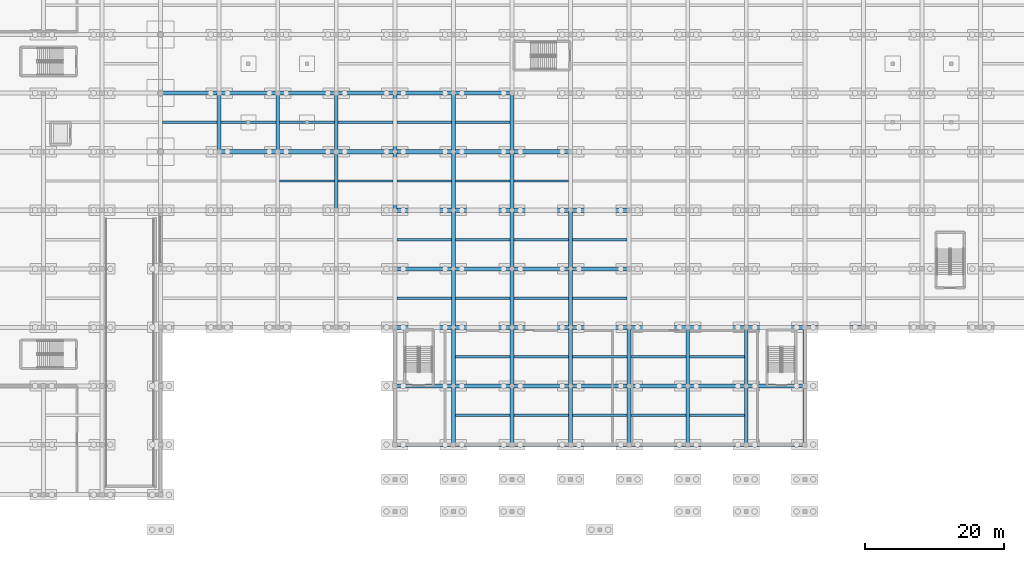
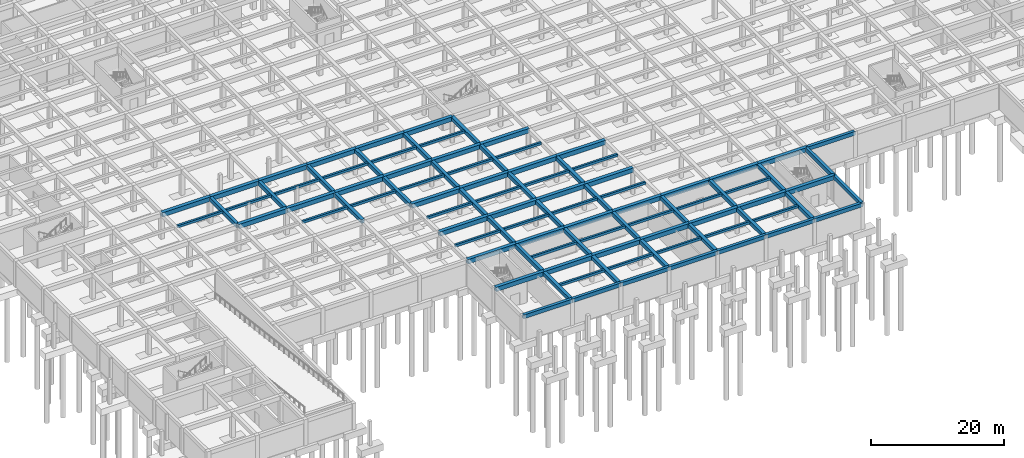
# One storey, part 16 of 51: 101 beams.
"""IFC4 building model written with IfcOpenShell, lengths in metres."""

from ifc_helpers import new_model, si_unit, direction, frame, origin, origin_2d, place, context, subcontext, project, spatial, rectangle, extrude, material, material_profile, profile_set, type_object, element, save


model = new_model("IFC4")

# Units and contexts
model_context = context("Model", 3, precision=1e-05, world=origin(), true_north=direction((0.0, 1.0)))
body_context = subcontext(model_context, "Body", "Model", "MODEL_VIEW")
ifc_project = project(units=[si_unit("LENGTHUNIT", "METRE"), si_unit("AREAUNIT", "SQUARE_METRE"), si_unit("VOLUMEUNIT", "CUBIC_METRE"), si_unit("PLANEANGLEUNIT", "RADIAN"), si_unit("MASSUNIT", "GRAM", prefix="KILO")], contexts=[model_context])

# Site, building, storey
site_placement = place(None, origin())
site = spatial("IfcSite", under=ifc_project, at=site_placement, CompositionType="ELEMENT")
building_placement = place(site_placement, origin())
building = spatial("IfcBuilding", under=site, at=building_placement, Name="Varncliffe General Hospital", CompositionType="ELEMENT")
storey_placement = place(building_placement, frame((0.0, 0.0, -4.800048828125)))
storey = spatial("IfcBuildingStorey", under=building, at=storey_placement, Name="B1", CompositionType="ELEMENT", Elevation=-4.800048828125)

# Beams
ifc_material = material(Name="Concrete C35/45 (CSA A23.1 35 MPa)", Category="concrete")
ifc_material_profile_1 = material_profile(ifc_material, rectangle(XDim=0.550048828125, YDim=0.699951171875, at=origin_2d()), Name="RC 550x700")
ifc_profile_set_1 = profile_set([ifc_material_profile_1], Name="Concrete C35/45 (CSA A23.1 35 MPa)")
beam_type_1 = type_object("IfcBeamType", Name="Beam B35 (Int RC 550x700)", PredefinedType="BEAM", material=ifc_profile_set_1)
for number, where, z_axis, x_axis, name in (
    (1, (33.60009765625, 49.199951171875, 4.449951171875), (0.0, 1.0, 0.0), (-1.0, 0.0, 0.0), "B1 Primary Beam B35-391"),
    (2, (42.0, 49.199951171875, 4.449951171875), (0.0, 1.0, 0.0), (-1.0, 0.0, 0.0), "B1 Primary Beam B35-405"),
):
    element("IfcBeam", number, at=place(storey_placement, frame(where, z_axis=z_axis, x_axis=x_axis)), inside=storey, type_object=beam_type_1, Name=name, PredefinedType="BEAM", context=body_context, shape_type="SweptSolid", body=[
        extrude(rectangle(XDim=0.550048828125, YDim=0.699951171875, at=origin_2d()), origin(), (0.0, 0.0, 1.0), 8.400146484375),
    ])
beam_1_placement = place(storey_placement, frame((50.39990234375, 40.800048828125, 4.449951171875), z_axis=(0.0, 1.0, 0.0), x_axis=(-1.0, 0.0, 0.0)))
element("IfcBeam", 3, at=beam_1_placement, inside=storey, type_object=beam_type_1, Name="B1 Primary Beam B35-418", PredefinedType="BEAM", context=body_context, shape_type="SweptSolid", body=[
    extrude(rectangle(XDim=0.550048828125, YDim=0.699951171875, at=origin_2d()), origin(), (0.0, 0.0, 1.0), 8.39990234375),
])
beam_2_placement = place(storey_placement, frame((50.39990234375, 49.199951171875, 4.449951171875), z_axis=(0.0, 1.0, 0.0), x_axis=(-1.0, 0.0, 0.0)))
element("IfcBeam", 4, at=beam_2_placement, inside=storey, type_object=beam_type_1, Name="B1 Primary Beam B35-419", PredefinedType="BEAM", context=body_context, shape_type="SweptSolid", body=[
    extrude(rectangle(XDim=0.550048828125, YDim=0.699951171875, at=origin_2d()), origin(), (0.0, 0.0, 1.0), 8.400146484375),
])
beam_3_placement = place(storey_placement, frame((58.800048828125, 40.800048828125, 4.449951171875), z_axis=(0.0, 1.0, 0.0), x_axis=(-1.0, 0.0, 0.0)))
element("IfcBeam", 5, at=beam_3_placement, inside=storey, type_object=beam_type_1, Name="B1 Primary Beam B35-434", PredefinedType="BEAM", context=body_context, shape_type="SweptSolid", body=[
    extrude(rectangle(XDim=0.550048828125, YDim=0.699951171875, at=origin_2d()), origin(), (0.0, 0.0, 1.0), 8.39990234375),
])
for number, where, z_axis, x_axis, name in (
    (6, (58.800048828125, 49.199951171875, 4.449951171875), (0.0, 1.0, 0.0), (-1.0, 0.0, 0.0), "B1 Primary Beam B35-435"),
    (7, (67.199951171875, 7.199951171875, 4.449951171875), (0.0, 1.0, 0.0), (-1.0, 0.0, 0.0), "B1 Primary Beam B35-446"),
):
    element("IfcBeam", number, at=place(storey_placement, frame(where, z_axis=z_axis, x_axis=x_axis)), inside=storey, type_object=beam_type_1, Name=name, PredefinedType="BEAM", context=body_context, shape_type="SweptSolid", body=[
        extrude(rectangle(XDim=0.550048828125, YDim=0.699951171875, at=origin_2d()), origin(), (0.0, 0.0, 1.0), 8.400146484375),
    ])
for number, where, z_axis, x_axis, name in (
    (8, (67.199951171875, 15.60009765625, 4.449951171875), (0.0, 1.0, 0.0), (-1.0, 0.0, 0.0), "B1 Primary Beam B35-447"),
    (9, (67.199951171875, 24.0, 4.449951171875), (0.0, 1.0, 0.0), (-1.0, 0.0, 0.0), "B1 Primary Beam B35-448"),
):
    element("IfcBeam", number, at=place(storey_placement, frame(where, z_axis=z_axis, x_axis=x_axis)), inside=storey, type_object=beam_type_1, Name=name, PredefinedType="BEAM", context=body_context, shape_type="SweptSolid", body=[
        extrude(rectangle(XDim=0.550048828125, YDim=0.699951171875, at=origin_2d()), origin(), (0.0, 0.0, 1.0), 8.39990234375),
    ])
beam_4_placement = place(storey_placement, frame((67.199951171875, 32.39990234375, 4.449951171875), z_axis=(0.0, 1.0, 0.0), x_axis=(-1.0, 0.0, 0.0)))
element("IfcBeam", 10, at=beam_4_placement, inside=storey, type_object=beam_type_1, Name="B1 Primary Beam B35-449", PredefinedType="BEAM", context=body_context, shape_type="SweptSolid", body=[
    extrude(rectangle(XDim=0.550048828125, YDim=0.699951171875, at=origin_2d()), origin(), (0.0, 0.0, 1.0), 8.400146484375),
])
beam_5_placement = place(storey_placement, frame((67.199951171875, 40.800048828125, 4.449951171875), z_axis=(0.0, 1.0, 0.0), x_axis=(-1.0, 0.0, 0.0)))
element("IfcBeam", 11, at=beam_5_placement, inside=storey, type_object=beam_type_1, Name="B1 Primary Beam B35-450", PredefinedType="BEAM", context=body_context, shape_type="SweptSolid", body=[
    extrude(rectangle(XDim=0.550048828125, YDim=0.699951171875, at=origin_2d()), origin(), (0.0, 0.0, 1.0), 8.39990234375),
])
for number, where, z_axis, x_axis, name in (
    (12, (67.199951171875, 49.199951171875, 4.449951171875), (0.0, 1.0, 0.0), (-1.0, 0.0, 0.0), "B1 Primary Beam B35-451"),
    (13, (75.60009765625, 7.199951171875, 4.449951171875), (0.0, 1.0, 0.0), (-1.0, 0.0, 0.0), "B1 Primary Beam B35-462"),
):
    element("IfcBeam", number, at=place(storey_placement, frame(where, z_axis=z_axis, x_axis=x_axis)), inside=storey, type_object=beam_type_1, Name=name, PredefinedType="BEAM", context=body_context, shape_type="SweptSolid", body=[
        extrude(rectangle(XDim=0.550048828125, YDim=0.699951171875, at=origin_2d()), origin(), (0.0, 0.0, 1.0), 8.400146484375),
    ])
for number, where, z_axis, x_axis, name in (
    (14, (75.60009765625, 15.60009765625, 4.449951171875), (0.0, 1.0, 0.0), (-1.0, 0.0, 0.0), "B1 Primary Beam B35-463"),
    (15, (75.60009765625, 24.0, 4.449951171875), (0.0, 1.0, 0.0), (-1.0, 0.0, 0.0), "B1 Primary Beam B35-464"),
):
    element("IfcBeam", number, at=place(storey_placement, frame(where, z_axis=z_axis, x_axis=x_axis)), inside=storey, type_object=beam_type_1, Name=name, PredefinedType="BEAM", context=body_context, shape_type="SweptSolid", body=[
        extrude(rectangle(XDim=0.550048828125, YDim=0.699951171875, at=origin_2d()), origin(), (0.0, 0.0, 1.0), 8.39990234375),
    ])
beam_6_placement = place(storey_placement, frame((75.60009765625, 32.39990234375, 4.449951171875), z_axis=(0.0, 1.0, 0.0), x_axis=(-1.0, 0.0, 0.0)))
element("IfcBeam", 16, at=beam_6_placement, inside=storey, type_object=beam_type_1, Name="B1 Primary Beam B35-465", PredefinedType="BEAM", context=body_context, shape_type="SweptSolid", body=[
    extrude(rectangle(XDim=0.550048828125, YDim=0.699951171875, at=origin_2d()), origin(), (0.0, 0.0, 1.0), 8.400146484375),
])
beam_7_placement = place(storey_placement, frame((75.60009765625, 40.800048828125, 4.449951171875), z_axis=(0.0, 1.0, 0.0), x_axis=(-1.0, 0.0, 0.0)))
element("IfcBeam", 17, at=beam_7_placement, inside=storey, type_object=beam_type_1, Name="B1 Primary Beam B35-466", PredefinedType="BEAM", context=body_context, shape_type="SweptSolid", body=[
    extrude(rectangle(XDim=0.550048828125, YDim=0.699951171875, at=origin_2d()), origin(), (0.0, 0.0, 1.0), 8.39990234375),
])
for number, where, z_axis, x_axis, name in (
    (18, (75.60009765625, 49.199951171875, 4.449951171875), (0.0, 1.0, 0.0), (-1.0, 0.0, 0.0), "B1 Primary Beam B35-467"),
    (19, (84.0, 7.199951171875, 4.449951171875), (0.0, 1.0, 0.0), (-1.0, 0.0, 0.0), "B1 Primary Beam B35-475"),
):
    element("IfcBeam", number, at=place(storey_placement, frame(where, z_axis=z_axis, x_axis=x_axis)), inside=storey, type_object=beam_type_1, Name=name, PredefinedType="BEAM", context=body_context, shape_type="SweptSolid", body=[
        extrude(rectangle(XDim=0.550048828125, YDim=0.699951171875, at=origin_2d()), origin(), (0.0, 0.0, 1.0), 8.400146484375),
    ])
for number, where, z_axis, x_axis, name in (
    (20, (84.0, 15.60009765625, 4.449951171875), (0.0, 1.0, 0.0), (-1.0, 0.0, 0.0), "B1 Primary Beam B35-476"),
    (21, (84.0, 24.0, 4.449951171875), (0.0, 1.0, 0.0), (-1.0, 0.0, 0.0), "B1 Primary Beam B35-477"),
):
    element("IfcBeam", number, at=place(storey_placement, frame(where, z_axis=z_axis, x_axis=x_axis)), inside=storey, type_object=beam_type_1, Name=name, PredefinedType="BEAM", context=body_context, shape_type="SweptSolid", body=[
        extrude(rectangle(XDim=0.550048828125, YDim=0.699951171875, at=origin_2d()), origin(), (0.0, 0.0, 1.0), 8.39990234375),
    ])
for number, where, z_axis, x_axis, name in (
    (22, (84.0, 32.39990234375, 4.449951171875), (0.0, 1.0, 0.0), (-1.0, 0.0, 0.0), "B1 Primary Beam B35-478"),
    (23, (92.39990234375, 7.199951171875, 4.449951171875), (0.0, 1.0, 0.0), (-1.0, 0.0, 0.0), "B1 Primary Beam B35-488"),
):
    element("IfcBeam", number, at=place(storey_placement, frame(where, z_axis=z_axis, x_axis=x_axis)), inside=storey, type_object=beam_type_1, Name=name, PredefinedType="BEAM", context=body_context, shape_type="SweptSolid", body=[
        extrude(rectangle(XDim=0.550048828125, YDim=0.699951171875, at=origin_2d()), origin(), (0.0, 0.0, 1.0), 8.400146484375),
    ])
beam_8_placement = place(storey_placement, frame((92.39990234375, 15.60009765625, 4.449951171875), z_axis=(0.0, 1.0, 0.0), x_axis=(-1.0, 0.0, 0.0)))
element("IfcBeam", 24, at=beam_8_placement, inside=storey, type_object=beam_type_1, Name="B1 Primary Beam B35-489", PredefinedType="BEAM", context=body_context, shape_type="SweptSolid", body=[
    extrude(rectangle(XDim=0.550048828125, YDim=0.699951171875, at=origin_2d()), origin(), (0.0, 0.0, 1.0), 8.39990234375),
])
beam_9_placement = place(storey_placement, frame((100.800048828125, 7.199951171875, 4.449951171875), z_axis=(0.0, 1.0, 0.0), x_axis=(-1.0, 0.0, 0.0)))
element("IfcBeam", 25, at=beam_9_placement, inside=storey, type_object=beam_type_1, Name="B1 Primary Beam B35-501", PredefinedType="BEAM", context=body_context, shape_type="SweptSolid", body=[
    extrude(rectangle(XDim=0.550048828125, YDim=0.699951171875, at=origin_2d()), origin(), (0.0, 0.0, 1.0), 8.400146484375),
])
beam_10_placement = place(storey_placement, frame((100.800048828125, 15.60009765625, 4.449951171875), z_axis=(0.0, 1.0, 0.0), x_axis=(-1.0, 0.0, 0.0)))
element("IfcBeam", 26, at=beam_10_placement, inside=storey, type_object=beam_type_1, Name="B1 Primary Beam B35-502", PredefinedType="BEAM", context=body_context, shape_type="SweptSolid", body=[
    extrude(rectangle(XDim=0.550048828125, YDim=0.699951171875, at=origin_2d()), origin(), (0.0, 0.0, 1.0), 8.39990234375),
])
beam_11_placement = place(storey_placement, frame((109.199951171875, 7.199951171875, 4.449951171875), z_axis=(0.0, 1.0, 0.0), x_axis=(-1.0, 0.0, 0.0)))
element("IfcBeam", 27, at=beam_11_placement, inside=storey, type_object=beam_type_1, Name="B1 Primary Beam B35-514", PredefinedType="BEAM", context=body_context, shape_type="SweptSolid", body=[
    extrude(rectangle(XDim=0.550048828125, YDim=0.699951171875, at=origin_2d()), origin(), (0.0, 0.0, 1.0), 8.400146484375),
])
beam_12_placement = place(storey_placement, frame((109.199951171875, 15.60009765625, 4.449951171875), z_axis=(0.0, 1.0, 0.0), x_axis=(-1.0, 0.0, 0.0)))
element("IfcBeam", 28, at=beam_12_placement, inside=storey, type_object=beam_type_1, Name="B1 Primary Beam B35-515", PredefinedType="BEAM", context=body_context, shape_type="SweptSolid", body=[
    extrude(rectangle(XDim=0.550048828125, YDim=0.699951171875, at=origin_2d()), origin(), (0.0, 0.0, 1.0), 8.39990234375),
])
ifc_material_profile_2 = material_profile(ifc_material, rectangle(XDim=0.60009765625, YDim=0.800048828125, at=origin_2d()), Name="RC 600x800")
ifc_profile_set_2 = profile_set([ifc_material_profile_2], Name="Concrete C35/45 (CSA A23.1 35 MPa)")
beam_type_2 = type_object("IfcBeamType", Name="Beam B40 (Int RC 600x800)", PredefinedType="BEAM", material=ifc_profile_set_2)
beam_13_placement = place(storey_placement, frame((58.800048828125, 15.60009765625, 4.400146484375), z_axis=(1.0, 0.0, 0.0), x_axis=(0.0, 1.0, 0.0)))
element("IfcBeam", 29, at=beam_13_placement, inside=storey, type_object=beam_type_2, Name="B1 Primary Beam B40-21", PredefinedType="BEAM", context=body_context, shape_type="SweptSolid", body=[
    extrude(rectangle(XDim=0.60009765625, YDim=0.800048828125, at=origin_2d()), origin(), (0.0, 0.0, 1.0), 8.39990234375),
])
beam_14_placement = place(storey_placement, frame((67.199951171875, 15.60009765625, 4.400146484375), z_axis=(1.0, 0.0, 0.0), x_axis=(0.0, 1.0, 0.0)))
element("IfcBeam", 30, at=beam_14_placement, inside=storey, type_object=beam_type_2, Name="B1 Primary Beam B40-22", PredefinedType="BEAM", context=body_context, shape_type="SweptSolid", body=[
    extrude(rectangle(XDim=0.60009765625, YDim=0.800048828125, at=origin_2d()), origin(), (0.0, 0.0, 1.0), 8.400146484375),
])
for number, where, z_axis, x_axis, name in (
    (31, (75.60009765625, 15.60009765625, 4.400146484375), (1.0, 0.0, 0.0), (0.0, 1.0, 0.0), "B1 Primary Beam B40-23"),
    (32, (84.0, 15.60009765625, 4.400146484375), (1.0, 0.0, 0.0), (0.0, 1.0, 0.0), "B1 Primary Beam B40-24"),
):
    element("IfcBeam", number, at=place(storey_placement, frame(where, z_axis=z_axis, x_axis=x_axis)), inside=storey, type_object=beam_type_2, Name=name, PredefinedType="BEAM", context=body_context, shape_type="SweptSolid", body=[
        extrude(rectangle(XDim=0.60009765625, YDim=0.800048828125, at=origin_2d()), origin(), (0.0, 0.0, 1.0), 8.39990234375),
    ])
beam_15_placement = place(storey_placement, frame((92.39990234375, 15.60009765625, 4.400146484375), z_axis=(1.0, 0.0, 0.0), x_axis=(0.0, 1.0, 0.0)))
element("IfcBeam", 33, at=beam_15_placement, inside=storey, type_object=beam_type_2, Name="B1 Primary Beam B40-25", PredefinedType="BEAM", context=body_context, shape_type="SweptSolid", body=[
    extrude(rectangle(XDim=0.60009765625, YDim=0.800048828125, at=origin_2d()), origin(), (0.0, 0.0, 1.0), 8.400146484375),
])
beam_16_placement = place(storey_placement, frame((100.800048828125, 15.60009765625, 4.400146484375), z_axis=(1.0, 0.0, 0.0), x_axis=(0.0, 1.0, 0.0)))
element("IfcBeam", 34, at=beam_16_placement, inside=storey, type_object=beam_type_2, Name="B1 Primary Beam B40-26", PredefinedType="BEAM", context=body_context, shape_type="SweptSolid", body=[
    extrude(rectangle(XDim=0.60009765625, YDim=0.800048828125, at=origin_2d()), origin(), (0.0, 0.0, 1.0), 8.39990234375),
])
beam_17_placement = place(storey_placement, frame((109.199951171875, 15.60009765625, 4.400146484375), z_axis=(1.0, 0.0, 0.0), x_axis=(0.0, 1.0, 0.0)))
element("IfcBeam", 35, at=beam_17_placement, inside=storey, type_object=beam_type_2, Name="B1 Primary Beam B40-27", PredefinedType="BEAM", context=body_context, shape_type="SweptSolid", body=[
    extrude(rectangle(XDim=0.60009765625, YDim=0.800048828125, at=origin_2d()), origin(), (0.0, 0.0, 1.0), 8.400146484375),
])
beam_18_placement = place(storey_placement, frame((58.800048828125, 24.0, 4.400146484375), z_axis=(1.0, 0.0, 0.0), x_axis=(0.0, 1.0, 0.0)))
element("IfcBeam", 36, at=beam_18_placement, inside=storey, type_object=beam_type_2, Name="B1 Primary Beam B40-37", PredefinedType="BEAM", context=body_context, shape_type="SweptSolid", body=[
    extrude(rectangle(XDim=0.60009765625, YDim=0.800048828125, at=origin_2d()), origin(), (0.0, 0.0, 1.0), 8.39990234375),
])
beam_19_placement = place(storey_placement, frame((67.199951171875, 24.0, 4.400146484375), z_axis=(1.0, 0.0, 0.0), x_axis=(0.0, 1.0, 0.0)))
element("IfcBeam", 37, at=beam_19_placement, inside=storey, type_object=beam_type_2, Name="B1 Primary Beam B40-38", PredefinedType="BEAM", context=body_context, shape_type="SweptSolid", body=[
    extrude(rectangle(XDim=0.60009765625, YDim=0.800048828125, at=origin_2d()), origin(), (0.0, 0.0, 1.0), 8.400146484375),
])
for number, where, z_axis, x_axis, name in (
    (38, (75.60009765625, 24.0, 4.400146484375), (1.0, 0.0, 0.0), (0.0, 1.0, 0.0), "B1 Primary Beam B40-39"),
    (39, (84.0, 24.0, 4.400146484375), (1.0, 0.0, 0.0), (0.0, 1.0, 0.0), "B1 Primary Beam B40-40"),
):
    element("IfcBeam", number, at=place(storey_placement, frame(where, z_axis=z_axis, x_axis=x_axis)), inside=storey, type_object=beam_type_2, Name=name, PredefinedType="BEAM", context=body_context, shape_type="SweptSolid", body=[
        extrude(rectangle(XDim=0.60009765625, YDim=0.800048828125, at=origin_2d()), origin(), (0.0, 0.0, 1.0), 8.39990234375),
    ])
beam_20_placement = place(storey_placement, frame((92.39990234375, 24.0, 4.400146484375), z_axis=(1.0, 0.0, 0.0), x_axis=(0.0, 1.0, 0.0)))
element("IfcBeam", 40, at=beam_20_placement, inside=storey, type_object=beam_type_2, Name="B1 Primary Beam B40-41", PredefinedType="BEAM", context=body_context, shape_type="SweptSolid", body=[
    extrude(rectangle(XDim=0.60009765625, YDim=0.800048828125, at=origin_2d()), origin(), (0.0, 0.0, 1.0), 8.400146484375),
])
beam_21_placement = place(storey_placement, frame((100.800048828125, 24.0, 4.400146484375), z_axis=(1.0, 0.0, 0.0), x_axis=(0.0, 1.0, 0.0)))
element("IfcBeam", 41, at=beam_21_placement, inside=storey, type_object=beam_type_2, Name="B1 Primary Beam B40-42", PredefinedType="BEAM", context=body_context, shape_type="SweptSolid", body=[
    extrude(rectangle(XDim=0.60009765625, YDim=0.800048828125, at=origin_2d()), origin(), (0.0, 0.0, 1.0), 8.39990234375),
])
beam_22_placement = place(storey_placement, frame((109.199951171875, 24.0, 4.400146484375), z_axis=(1.0, 0.0, 0.0), x_axis=(0.0, 1.0, 0.0)))
element("IfcBeam", 42, at=beam_22_placement, inside=storey, type_object=beam_type_2, Name="B1 Primary Beam B40-43", PredefinedType="BEAM", context=body_context, shape_type="SweptSolid", body=[
    extrude(rectangle(XDim=0.60009765625, YDim=0.800048828125, at=origin_2d()), origin(), (0.0, 0.0, 1.0), 8.400146484375),
])
beam_23_placement = place(storey_placement, frame((58.800048828125, 32.39990234375, 4.400146484375), z_axis=(1.0, 0.0, 0.0), x_axis=(0.0, 1.0, 0.0)))
element("IfcBeam", 43, at=beam_23_placement, inside=storey, type_object=beam_type_2, Name="B1 Primary Beam B40-57", PredefinedType="BEAM", context=body_context, shape_type="SweptSolid", body=[
    extrude(rectangle(XDim=0.60009765625, YDim=0.800048828125, at=origin_2d()), origin(), (0.0, 0.0, 1.0), 8.39990234375),
])
beam_24_placement = place(storey_placement, frame((67.199951171875, 32.39990234375, 4.400146484375), z_axis=(1.0, 0.0, 0.0), x_axis=(0.0, 1.0, 0.0)))
element("IfcBeam", 44, at=beam_24_placement, inside=storey, type_object=beam_type_2, Name="B1 Primary Beam B40-58", PredefinedType="BEAM", context=body_context, shape_type="SweptSolid", body=[
    extrude(rectangle(XDim=0.60009765625, YDim=0.800048828125, at=origin_2d()), origin(), (0.0, 0.0, 1.0), 8.400146484375),
])
for number, where, z_axis, x_axis, name in (
    (45, (75.60009765625, 32.39990234375, 4.400146484375), (1.0, 0.0, 0.0), (0.0, 1.0, 0.0), "B1 Primary Beam B40-59"),
    (46, (84.0, 32.39990234375, 4.400146484375), (1.0, 0.0, 0.0), (0.0, 1.0, 0.0), "B1 Primary Beam B40-60"),
    (47, (58.800048828125, 40.800048828125, 4.400146484375), (1.0, 0.0, 0.0), (0.0, 1.0, 0.0), "B1 Primary Beam B40-77"),
):
    element("IfcBeam", number, at=place(storey_placement, frame(where, z_axis=z_axis, x_axis=x_axis)), inside=storey, type_object=beam_type_2, Name=name, PredefinedType="BEAM", context=body_context, shape_type="SweptSolid", body=[
        extrude(rectangle(XDim=0.60009765625, YDim=0.800048828125, at=origin_2d()), origin(), (0.0, 0.0, 1.0), 8.39990234375),
    ])
beam_25_placement = place(storey_placement, frame((67.199951171875, 40.800048828125, 4.400146484375), z_axis=(1.0, 0.0, 0.0), x_axis=(0.0, 1.0, 0.0)))
element("IfcBeam", 48, at=beam_25_placement, inside=storey, type_object=beam_type_2, Name="B1 Primary Beam B40-78", PredefinedType="BEAM", context=body_context, shape_type="SweptSolid", body=[
    extrude(rectangle(XDim=0.60009765625, YDim=0.800048828125, at=origin_2d()), origin(), (0.0, 0.0, 1.0), 8.400146484375),
])
for number, where, z_axis, x_axis, name in (
    (49, (75.60009765625, 40.800048828125, 4.400146484375), (1.0, 0.0, 0.0), (0.0, 1.0, 0.0), "B1 Primary Beam B40-79"),
    (50, (84.0, 40.800048828125, 4.400146484375), (1.0, 0.0, 0.0), (0.0, 1.0, 0.0), "B1 Primary Beam B40-80"),
    (51, (33.60009765625, 49.199951171875, 4.400146484375), (1.0, 0.0, 0.0), (0.0, 1.0, 0.0), "B1 Primary Beam B40-95"),
    (52, (42.0, 49.199951171875, 4.400146484375), (1.0, 0.0, 0.0), (0.0, 1.0, 0.0), "B1 Primary Beam B40-96"),
):
    element("IfcBeam", number, at=place(storey_placement, frame(where, z_axis=z_axis, x_axis=x_axis)), inside=storey, type_object=beam_type_2, Name=name, PredefinedType="BEAM", context=body_context, shape_type="SweptSolid", body=[
        extrude(rectangle(XDim=0.60009765625, YDim=0.800048828125, at=origin_2d()), origin(), (0.0, 0.0, 1.0), 8.39990234375),
    ])
beam_26_placement = place(storey_placement, frame((50.39990234375, 49.199951171875, 4.400146484375), z_axis=(1.0, 0.0, 0.0), x_axis=(0.0, 1.0, 0.0)))
element("IfcBeam", 53, at=beam_26_placement, inside=storey, type_object=beam_type_2, Name="B1 Primary Beam B40-97", PredefinedType="BEAM", context=body_context, shape_type="SweptSolid", body=[
    extrude(rectangle(XDim=0.60009765625, YDim=0.800048828125, at=origin_2d()), origin(), (0.0, 0.0, 1.0), 8.400146484375),
])
beam_27_placement = place(storey_placement, frame((58.800048828125, 49.199951171875, 4.400146484375), z_axis=(1.0, 0.0, 0.0), x_axis=(0.0, 1.0, 0.0)))
element("IfcBeam", 54, at=beam_27_placement, inside=storey, type_object=beam_type_2, Name="B1 Primary Beam B40-98", PredefinedType="BEAM", context=body_context, shape_type="SweptSolid", body=[
    extrude(rectangle(XDim=0.60009765625, YDim=0.800048828125, at=origin_2d()), origin(), (0.0, 0.0, 1.0), 8.39990234375),
])
beam_28_placement = place(storey_placement, frame((67.199951171875, 49.199951171875, 4.400146484375), z_axis=(1.0, 0.0, 0.0), x_axis=(0.0, 1.0, 0.0)))
element("IfcBeam", 55, at=beam_28_placement, inside=storey, type_object=beam_type_2, Name="B1 Primary Beam B40-99", PredefinedType="BEAM", context=body_context, shape_type="SweptSolid", body=[
    extrude(rectangle(XDim=0.60009765625, YDim=0.800048828125, at=origin_2d()), origin(), (0.0, 0.0, 1.0), 8.400146484375),
])
beam_29_placement = place(storey_placement, frame((75.60009765625, 49.199951171875, 4.400146484375), z_axis=(1.0, 0.0, 0.0), x_axis=(0.0, 1.0, 0.0)))
element("IfcBeam", 56, at=beam_29_placement, inside=storey, type_object=beam_type_2, Name="B1 Primary Beam B40-100", PredefinedType="BEAM", context=body_context, shape_type="SweptSolid", body=[
    extrude(rectangle(XDim=0.60009765625, YDim=0.800048828125, at=origin_2d()), origin(), (0.0, 0.0, 1.0), 8.39990234375),
])
beam_30_placement = place(storey_placement, frame((25.199951171875, 57.60009765625, 4.400146484375), z_axis=(1.0, 0.0, 0.0), x_axis=(0.0, 1.0, 0.0)))
element("IfcBeam", 57, at=beam_30_placement, inside=storey, type_object=beam_type_2, Name="B1 Primary Beam B40-115", PredefinedType="BEAM", context=body_context, shape_type="SweptSolid", body=[
    extrude(rectangle(XDim=0.60009765625, YDim=0.800048828125, at=origin_2d()), origin(), (0.0, 0.0, 1.0), 8.400146484375),
])
for number, where, z_axis, x_axis, name in (
    (58, (33.60009765625, 57.60009765625, 4.400146484375), (1.0, 0.0, 0.0), (0.0, 1.0, 0.0), "B1 Primary Beam B40-116"),
    (59, (42.0, 57.60009765625, 4.400146484375), (1.0, 0.0, 0.0), (0.0, 1.0, 0.0), "B1 Primary Beam B40-117"),
):
    element("IfcBeam", number, at=place(storey_placement, frame(where, z_axis=z_axis, x_axis=x_axis)), inside=storey, type_object=beam_type_2, Name=name, PredefinedType="BEAM", context=body_context, shape_type="SweptSolid", body=[
        extrude(rectangle(XDim=0.60009765625, YDim=0.800048828125, at=origin_2d()), origin(), (0.0, 0.0, 1.0), 8.39990234375),
    ])
beam_31_placement = place(storey_placement, frame((50.39990234375, 57.60009765625, 4.400146484375), z_axis=(1.0, 0.0, 0.0), x_axis=(0.0, 1.0, 0.0)))
element("IfcBeam", 60, at=beam_31_placement, inside=storey, type_object=beam_type_2, Name="B1 Primary Beam B40-118", PredefinedType="BEAM", context=body_context, shape_type="SweptSolid", body=[
    extrude(rectangle(XDim=0.60009765625, YDim=0.800048828125, at=origin_2d()), origin(), (0.0, 0.0, 1.0), 8.400146484375),
])
beam_32_placement = place(storey_placement, frame((58.800048828125, 57.60009765625, 4.400146484375), z_axis=(1.0, 0.0, 0.0), x_axis=(0.0, 1.0, 0.0)))
element("IfcBeam", 61, at=beam_32_placement, inside=storey, type_object=beam_type_2, Name="B1 Primary Beam B40-119", PredefinedType="BEAM", context=body_context, shape_type="SweptSolid", body=[
    extrude(rectangle(XDim=0.60009765625, YDim=0.800048828125, at=origin_2d()), origin(), (0.0, 0.0, 1.0), 8.39990234375),
])
beam_33_placement = place(storey_placement, frame((67.199951171875, 57.60009765625, 4.400146484375), z_axis=(1.0, 0.0, 0.0), x_axis=(0.0, 1.0, 0.0)))
element("IfcBeam", 62, at=beam_33_placement, inside=storey, type_object=beam_type_2, Name="B1 Primary Beam B40-120", PredefinedType="BEAM", context=body_context, shape_type="SweptSolid", body=[
    extrude(rectangle(XDim=0.60009765625, YDim=0.800048828125, at=origin_2d()), origin(), (0.0, 0.0, 1.0), 8.400146484375),
])
ifc_material_profile_3 = material_profile(ifc_material, rectangle(XDim=0.35009765625, YDim=0.449951171875, at=origin_2d()), Name="RC 350x450")
ifc_profile_set_3 = profile_set([ifc_material_profile_3], Name="Concrete C35/45 (CSA A23.1 35 MPa)")
beam_type_3 = type_object("IfcBeamType", Name="Joist J55 (Int RC 350x450)", PredefinedType="JOIST", material=ifc_profile_set_3)
for number, where, z_axis, x_axis, name in (
    (63, (25.472900390625, 53.39990234375, 4.574951171875), (1.0, 0.0, 0.0), (0.0, 1.0, 0.0), "B1 Secondary Floor Rib J55-20"),
    (64, (33.873046875, 53.39990234375, 4.574951171875), (1.0, 0.0, 0.0), (0.0, 1.0, 0.0), "B1 Secondary Floor Rib J55-28"),
    (65, (42.27294921875, 45.0, 4.574951171875), (1.0, 0.0, 0.0), (0.0, 1.0, 0.0), "B1 Secondary Floor Rib J55-34"),
    (66, (42.27294921875, 53.39990234375, 4.574951171875), (1.0, 0.0, 0.0), (0.0, 1.0, 0.0), "B1 Secondary Floor Rib J55-35"),
    (67, (50.673095703125, 45.0, 4.574951171875), (1.0, 0.0, 0.0), (0.0, 1.0, 0.0), "B1 Secondary Floor Rib J55-42"),
    (68, (50.673095703125, 53.39990234375, 4.574951171875), (1.0, 0.0, 0.0), (0.0, 1.0, 0.0), "B1 Secondary Floor Rib J55-43"),
    (69, (59.072998046875, 28.199951171875, 4.574951171875), (1.0, 0.0, 0.0), (0.0, 1.0, 0.0), "B1 Secondary Floor Rib J55-49"),
    (70, (59.072998046875, 36.60009765625, 4.574951171875), (1.0, 0.0, 0.0), (0.0, 1.0, 0.0), "B1 Secondary Floor Rib J55-50"),
    (71, (59.072998046875, 45.0, 4.574951171875), (1.0, 0.0, 0.0), (0.0, 1.0, 0.0), "B1 Secondary Floor Rib J55-51"),
    (72, (59.072998046875, 53.39990234375, 4.574951171875), (1.0, 0.0, 0.0), (0.0, 1.0, 0.0), "B1 Secondary Floor Rib J55-52"),
    (73, (67.472900390625, 11.39990234375, 4.574951171875), (1.0, 0.0, 0.0), (0.0, 1.0, 0.0), "B1 Secondary Floor Rib J55-58"),
    (74, (67.472900390625, 19.800048828125, 4.574951171875), (1.0, 0.0, 0.0), (0.0, 1.0, 0.0), "B1 Secondary Floor Rib J55-59"),
    (75, (67.472900390625, 28.199951171875, 4.574951171875), (1.0, 0.0, 0.0), (0.0, 1.0, 0.0), "B1 Secondary Floor Rib J55-60"),
    (76, (67.472900390625, 36.60009765625, 4.574951171875), (1.0, 0.0, 0.0), (0.0, 1.0, 0.0), "B1 Secondary Floor Rib J55-61"),
    (77, (67.472900390625, 45.0, 4.574951171875), (1.0, 0.0, 0.0), (0.0, 1.0, 0.0), "B1 Secondary Floor Rib J55-62"),
    (78, (67.472900390625, 53.39990234375, 4.574951171875), (1.0, 0.0, 0.0), (0.0, 1.0, 0.0), "B1 Secondary Floor Rib J55-63"),
    (79, (75.873046875, 11.39990234375, 4.574951171875), (1.0, 0.0, 0.0), (0.0, 1.0, 0.0), "B1 Secondary Floor Rib J55-68"),
    (80, (75.873046875, 19.800048828125, 4.574951171875), (1.0, 0.0, 0.0), (0.0, 1.0, 0.0), "B1 Secondary Floor Rib J55-69"),
    (81, (75.873046875, 28.199951171875, 4.574951171875), (1.0, 0.0, 0.0), (0.0, 1.0, 0.0), "B1 Secondary Floor Rib J55-70"),
    (82, (75.873046875, 36.60009765625, 4.574951171875), (1.0, 0.0, 0.0), (0.0, 1.0, 0.0), "B1 Secondary Floor Rib J55-71"),
    (83, (75.873046875, 45.0, 4.574951171875), (1.0, 0.0, 0.0), (0.0, 1.0, 0.0), "B1 Secondary Floor Rib J55-72"),
    (84, (84.27294921875, 11.39990234375, 4.574951171875), (1.0, 0.0, 0.0), (0.0, 1.0, 0.0), "B1 Secondary Floor Rib J55-79"),
    (85, (84.27294921875, 19.800048828125, 4.574951171875), (1.0, 0.0, 0.0), (0.0, 1.0, 0.0), "B1 Secondary Floor Rib J55-80"),
    (86, (84.27294921875, 28.199951171875, 4.574951171875), (1.0, 0.0, 0.0), (0.0, 1.0, 0.0), "B1 Secondary Floor Rib J55-81"),
    (87, (84.27294921875, 36.60009765625, 4.574951171875), (1.0, 0.0, 0.0), (0.0, 1.0, 0.0), "B1 Secondary Floor Rib J55-82"),
    (88, (92.673095703125, 11.39990234375, 4.574951171875), (1.0, 0.0, 0.0), (0.0, 1.0, 0.0), "B1 Secondary Floor Rib J55-91"),
    (89, (92.673095703125, 19.800048828125, 4.574951171875), (1.0, 0.0, 0.0), (0.0, 1.0, 0.0), "B1 Secondary Floor Rib J55-92"),
    (90, (101.072998046875, 11.39990234375, 4.574951171875), (1.0, 0.0, 0.0), (0.0, 1.0, 0.0), "B1 Secondary Floor Rib J55-103"),
    (91, (101.072998046875, 19.800048828125, 4.574951171875), (1.0, 0.0, 0.0), (0.0, 1.0, 0.0), "B1 Secondary Floor Rib J55-104"),
):
    element("IfcBeam", number, at=place(storey_placement, frame(where, z_axis=z_axis, x_axis=x_axis)), inside=storey, type_object=beam_type_3, Name=name, PredefinedType="JOIST", context=body_context, shape_type="SweptSolid", body=[
        extrude(rectangle(XDim=0.35009765625, YDim=0.449951171875, at=origin_2d()), origin(), (0.0, 0.0, 1.0), 7.85400390625),
    ])
ifc_material_profile_4 = material_profile(ifc_material, rectangle(XDim=0.5, YDim=0.699951171875, at=origin_2d()), Name="RC 500x700")
ifc_profile_set_4 = profile_set([ifc_material_profile_4], Name="Concrete C35/45 (CSA A23.1 35 MPa)")
beam_type_4 = type_object("IfcBeamType", Name="Spandrel SP19 (Ext RC 500x700)", PredefinedType="SPANDREL", material=ifc_profile_set_4)
beam_34_placement = place(storey_placement, frame((58.800048828125, 7.199951171875, 4.449951171875), z_axis=(1.0, 0.0, 0.0), x_axis=(0.0, 1.0, 0.0)))
element("IfcBeam", 92, at=beam_34_placement, inside=storey, type_object=beam_type_4, Name="B1 Spandrel Beam SP19-9", PredefinedType="SPANDREL", context=body_context, shape_type="SweptSolid", body=[
    extrude(rectangle(XDim=0.5, YDim=0.699951171875, at=origin_2d()), origin(), (0.0, 0.0, 1.0), 8.39990234375),
])
beam_35_placement = place(storey_placement, frame((67.199951171875, 7.199951171875, 4.449951171875), z_axis=(1.0, 0.0, 0.0), x_axis=(0.0, 1.0, 0.0)))
element("IfcBeam", 93, at=beam_35_placement, inside=storey, type_object=beam_type_4, Name="B1 Spandrel Beam SP19-10", PredefinedType="SPANDREL", context=body_context, shape_type="SweptSolid", body=[
    extrude(rectangle(XDim=0.5, YDim=0.699951171875, at=origin_2d()), origin(), (0.0, 0.0, 1.0), 8.400146484375),
])
for number, where, z_axis, x_axis, name in (
    (94, (75.60009765625, 7.199951171875, 4.449951171875), (1.0, 0.0, 0.0), (0.0, 1.0, 0.0), "B1 Spandrel Beam SP19-11"),
    (95, (84.0, 7.199951171875, 4.449951171875), (1.0, 0.0, 0.0), (0.0, 1.0, 0.0), "B1 Spandrel Beam SP19-12"),
):
    element("IfcBeam", number, at=place(storey_placement, frame(where, z_axis=z_axis, x_axis=x_axis)), inside=storey, type_object=beam_type_4, Name=name, PredefinedType="SPANDREL", context=body_context, shape_type="SweptSolid", body=[
        extrude(rectangle(XDim=0.5, YDim=0.699951171875, at=origin_2d()), origin(), (0.0, 0.0, 1.0), 8.39990234375),
    ])
beam_36_placement = place(storey_placement, frame((92.39990234375, 7.199951171875, 4.449951171875), z_axis=(1.0, 0.0, 0.0), x_axis=(0.0, 1.0, 0.0)))
element("IfcBeam", 96, at=beam_36_placement, inside=storey, type_object=beam_type_4, Name="B1 Spandrel Beam SP19-13", PredefinedType="SPANDREL", context=body_context, shape_type="SweptSolid", body=[
    extrude(rectangle(XDim=0.5, YDim=0.699951171875, at=origin_2d()), origin(), (0.0, 0.0, 1.0), 8.400146484375),
])
beam_37_placement = place(storey_placement, frame((100.800048828125, 7.199951171875, 4.449951171875), z_axis=(1.0, 0.0, 0.0), x_axis=(0.0, 1.0, 0.0)))
element("IfcBeam", 97, at=beam_37_placement, inside=storey, type_object=beam_type_4, Name="B1 Spandrel Beam SP19-14", PredefinedType="SPANDREL", context=body_context, shape_type="SweptSolid", body=[
    extrude(rectangle(XDim=0.5, YDim=0.699951171875, at=origin_2d()), origin(), (0.0, 0.0, 1.0), 8.39990234375),
])
beam_38_placement = place(storey_placement, frame((109.199951171875, 7.199951171875, 4.449951171875), z_axis=(1.0, 0.0, 0.0), x_axis=(0.0, 1.0, 0.0)))
element("IfcBeam", 98, at=beam_38_placement, inside=storey, type_object=beam_type_4, Name="B1 Spandrel Beam SP19-15", PredefinedType="SPANDREL", context=body_context, shape_type="SweptSolid", body=[
    extrude(rectangle(XDim=0.5, YDim=0.699951171875, at=origin_2d()), origin(), (0.0, 0.0, 1.0), 8.400146484375),
])
beam_39_placement = place(storey_placement, frame((117.60009765625, 24.0, 4.449951171875), z_axis=(1.0, 0.0, 0.0), x_axis=(0.0, 1.0, 0.0)))
element("IfcBeam", 99, at=beam_39_placement, inside=storey, type_object=beam_type_4, Name="B1 Spandrel Beam SP19-44", PredefinedType="SPANDREL", context=body_context, shape_type="SweptSolid", body=[
    extrude(rectangle(XDim=0.5, YDim=0.699951171875, at=origin_2d()), origin(), (0.0, 0.0, 1.0), 8.39990234375),
])
beam_40_placement = place(storey_placement, frame((117.60009765625, 7.199951171875, 4.449951171875), z_axis=(0.0, 1.0, 0.0), x_axis=(-1.0, 0.0, 0.0)))
element("IfcBeam", 100, at=beam_40_placement, inside=storey, type_object=beam_type_4, Name="B1 Spandrel Beam SP19-530", PredefinedType="SPANDREL", context=body_context, shape_type="SweptSolid", body=[
    extrude(rectangle(XDim=0.5, YDim=0.699951171875, at=origin_2d()), origin(), (0.0, 0.0, 1.0), 8.400146484375),
])
beam_41_placement = place(storey_placement, frame((117.60009765625, 15.60009765625, 4.449951171875), z_axis=(0.0, 1.0, 0.0), x_axis=(-1.0, 0.0, 0.0)))
element("IfcBeam", 101, at=beam_41_placement, inside=storey, type_object=beam_type_4, Name="B1 Spandrel Beam SP19-531", PredefinedType="SPANDREL", context=body_context, shape_type="SweptSolid", body=[
    extrude(rectangle(XDim=0.5, YDim=0.699951171875, at=origin_2d()), origin(), (0.0, 0.0, 1.0), 8.39990234375),
])

save(model, "model.ifc")
